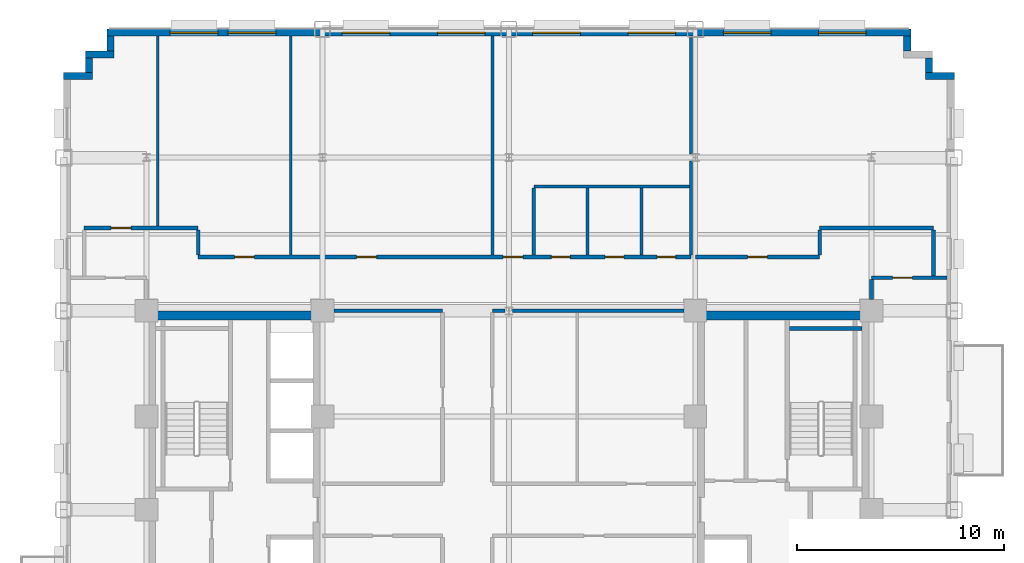
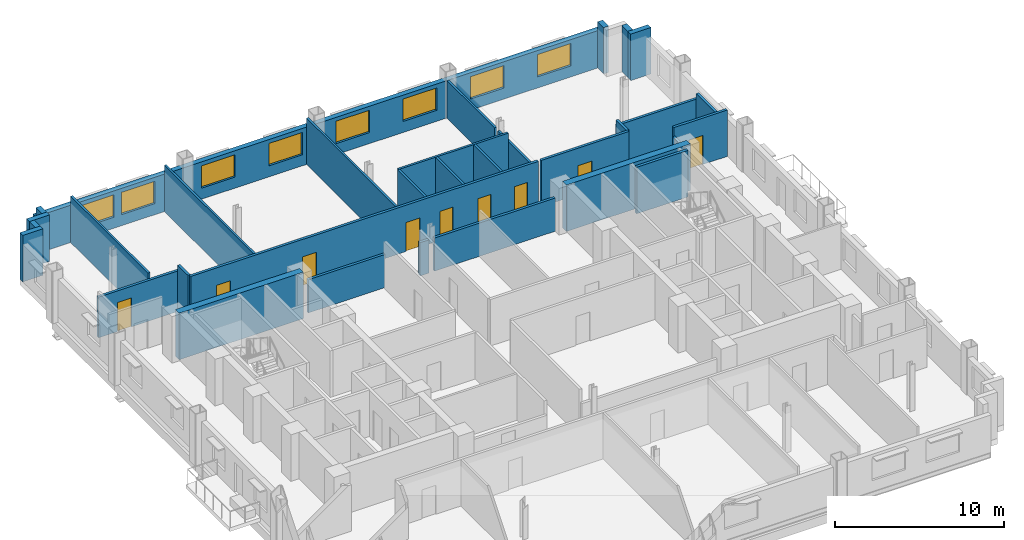
# One storey, part 9 of 14: 32 walls, 9 doors, 8 windows, 17 openings.
"""IFC4 building model written with IfcOpenShell, lengths in metres."""

from ifc_helpers import new_model, si_unit, direction, frame, frame_2d, origin, place, context, subcontext, project, spatial, rectangle, extrude, source, transform, mapped, material, layer, layer_set, type_object, type_shapes, element, fill, save


model = new_model("IFC4")

# Units and contexts
model_context = context("Model", 3, precision=1e-05, world=origin(), true_north=direction((0.0, 1.0)))
body_context = subcontext(model_context, "Body", "Model", "MODEL_VIEW")
ifc_project = project(units=[si_unit("LENGTHUNIT", "METRE"), si_unit("AREAUNIT", "SQUARE_METRE"), si_unit("VOLUMEUNIT", "CUBIC_METRE"), si_unit("PLANEANGLEUNIT", "RADIAN"), si_unit("MASSUNIT", "GRAM", prefix="KILO")], contexts=[model_context])

# Site, building, storey
site_placement = place(None, origin())
site = spatial("IfcSite", under=ifc_project, at=site_placement, CompositionType="ELEMENT")
building_placement = place(site_placement, origin())
building = spatial("IfcBuilding", under=site, at=building_placement, Name="Nuvemarco Arch Tower", CompositionType="ELEMENT")
storey_placement = place(building_placement, frame((0.0, 0.0, 56.800048828125)))
storey = spatial("IfcBuildingStorey", under=building, at=storey_placement, Name="L14", CompositionType="ELEMENT", Elevation=56.800048828125)

# Walls
ifc_material_1 = material(Name="Precast concrete C45/55", Category="concrete")
ifc_layer_1 = layer(ifc_material_1, 0.340087890625, Name="EW-LOW-340")
ifc_layer_set_1 = layer_set([ifc_layer_1], Name="Precast concrete C45/55")
wall_type_1 = type_object("IfcWallType", Name="EW-LOW-340", PredefinedType="STANDARD", material=ifc_layer_set_1)
wall_1_placement = place(storey_placement, frame((20.110107421875, 20.929931640625, 0.0), z_axis=(0.0, 0.0, 1.0), x_axis=(1.0, 0.0, 0.0)))
element("IfcWall", 1, at=wall_1_placement, inside=storey, type_object=wall_type_1, Name="L14 exterior precast facade wall 7", PredefinedType="STANDARD", context=body_context, shape_type="SweptSolid", body=[
    extrude(rectangle(XDim=1.389892578125, YDim=0.340087890625, at=frame_2d((0.69482421875, 0.0))), origin(), (0.0, 0.0, 1.0), 3.35986328125),
])
for number, where, z_axis, x_axis, name in (
    (2, (20.280029296875, 21.095947265625, 0.0), (0.0, 0.0, 1.0), (0.0, 1.0, 0.0), "L14 exterior precast facade wall 8"),
    (3, (19.22998046875, 22.14599609375, 0.0), (0.0, 0.0, 1.0), (0.0, 1.0, 0.0), "L14 exterior precast facade wall 10"),
):
    element("IfcWall", number, at=place(storey_placement, frame(where, z_axis=z_axis, x_axis=x_axis)), inside=storey, type_object=wall_type_1, Name=name, PredefinedType="STANDARD", context=body_context, shape_type="SweptSolid", body=[
        extrude(rectangle(XDim=0.718017578125, YDim=0.340087890625, at=frame_2d((0.35888671875, 0.0))), origin(), (0.0, 0.0, 1.0), 3.35986328125),
    ])

# Wall, openings, windows
wall_2_placement = place(storey_placement, frame((-19.39990234375, 23.030029296875, 0.0), z_axis=(0.0, 0.0, 1.0), x_axis=(1.0, 0.0, 0.0)))
wall_2 = element("IfcWall", 4, at=wall_2_placement, inside=storey, type_object=wall_type_1, Name="L14 exterior precast facade wall 11", PredefinedType="STANDARD", context=body_context, shape_type="SweptSolid", body=[
    extrude(rectangle(XDim=38.7998046875, YDim=0.340087890625, at=frame_2d((19.39990234375, 0.0))), origin(), (0.0, 0.0, 1.0), 2.704833984375),
])
opening_1_placement = place(wall_2_placement, frame((3.050048828125, 0.0, 0.800048828125)))
opening_1 = element("IfcOpeningElement", 5, at=opening_1_placement, cuts=wall_2, Name="Opening WN-10", PredefinedType="OPENING", context=body_context, shape_type="SweptSolid", body=[
    extrude(rectangle(XDim=2.300048828125, YDim=1.6201171875, at=frame_2d((1.14990234375, 0.81005859375))), frame((0.0, 0.179931640625, 0.0), z_axis=(0.0, -1.0, 0.0), x_axis=(1.0, 0.0, 0.0)), (0.0, 0.0, 1.0), 0.360107421875),
])
opening_2_placement = place(wall_2_placement, frame((5.85009765625, 0.0, 0.800048828125)))
opening_2 = element("IfcOpeningElement", 6, at=opening_2_placement, cuts=wall_2, Name="Opening WN-10", PredefinedType="OPENING", context=body_context, shape_type="SweptSolid", body=[
    extrude(rectangle(XDim=2.300048828125, YDim=1.6201171875, at=frame_2d((1.14990234375, 0.81005859375))), frame((0.0, 0.179931640625, 0.0), z_axis=(0.0, -1.0, 0.0), x_axis=(1.0, 0.0, 0.0)), (0.0, 0.0, 1.0), 0.360107421875),
])
opening_3_placement = place(wall_2_placement, frame((11.35009765625, 0.0, 0.800048828125)))
opening_3 = element("IfcOpeningElement", 7, at=opening_3_placement, cuts=wall_2, Name="Opening WN-10", PredefinedType="OPENING", context=body_context, shape_type="SweptSolid", body=[
    extrude(rectangle(XDim=2.300048828125, YDim=1.6201171875, at=frame_2d((1.14990234375, 0.81005859375))), frame((0.0, 0.179931640625, 0.0), z_axis=(0.0, -1.0, 0.0), x_axis=(1.0, 0.0, 0.0)), (0.0, 0.0, 1.0), 0.360107421875),
])
opening_4_placement = place(wall_2_placement, frame((15.949951171875, 0.0, 0.800048828125)))
opening_4 = element("IfcOpeningElement", 8, at=opening_4_placement, cuts=wall_2, Name="Opening WN-10", PredefinedType="OPENING", context=body_context, shape_type="SweptSolid", body=[
    extrude(rectangle(XDim=2.300048828125, YDim=1.6201171875, at=frame_2d((1.14990234375, 0.81005859375))), frame((0.0, 0.179931640625, 0.0), z_axis=(0.0, -1.0, 0.0), x_axis=(1.0, 0.0, 0.0)), (0.0, 0.0, 1.0), 0.360107421875),
])
opening_5_placement = place(wall_2_placement, frame((20.550048828125, 0.0, 0.800048828125)))
opening_5 = element("IfcOpeningElement", 9, at=opening_5_placement, cuts=wall_2, Name="Opening WN-10", PredefinedType="OPENING", context=body_context, shape_type="SweptSolid", body=[
    extrude(rectangle(XDim=2.300048828125, YDim=1.6201171875, at=frame_2d((1.14990234375, 0.81005859375))), frame((0.0, 0.179931640625, 0.0), z_axis=(0.0, -1.0, 0.0), x_axis=(1.0, 0.0, 0.0)), (0.0, 0.0, 1.0), 0.360107421875),
])
opening_6_placement = place(wall_2_placement, frame((25.14990234375, 0.0, 0.800048828125)))
opening_6 = element("IfcOpeningElement", 10, at=opening_6_placement, cuts=wall_2, Name="Opening WN-10", PredefinedType="OPENING", context=body_context, shape_type="SweptSolid", body=[
    extrude(rectangle(XDim=2.300048828125, YDim=1.6201171875, at=frame_2d((1.14990234375, 0.81005859375))), frame((0.0, 0.179931640625, 0.0), z_axis=(0.0, -1.0, 0.0), x_axis=(1.0, 0.0, 0.0)), (0.0, 0.0, 1.0), 0.360107421875),
])
opening_7_placement = place(wall_2_placement, frame((29.75, 0.0, 0.800048828125)))
opening_7 = element("IfcOpeningElement", 11, at=opening_7_placement, cuts=wall_2, Name="Opening WN-10", PredefinedType="OPENING", context=body_context, shape_type="SweptSolid", body=[
    extrude(rectangle(XDim=2.300048828125, YDim=1.6201171875, at=frame_2d((1.14990234375, 0.81005859375))), frame((0.0, 0.179931640625, 0.0), z_axis=(0.0, -1.0, 0.0), x_axis=(1.0, 0.0, 0.0)), (0.0, 0.0, 1.0), 0.360107421875),
])
opening_8_placement = place(wall_2_placement, frame((34.35009765625, 0.0, 0.800048828125)))
opening_8 = element("IfcOpeningElement", 12, at=opening_8_placement, cuts=wall_2, Name="Opening WN-10", PredefinedType="OPENING", context=body_context, shape_type="SweptSolid", body=[
    extrude(rectangle(XDim=2.300048828125, YDim=1.6201171875, at=frame_2d((1.14990234375, 0.81005859375))), frame((0.0, 0.179931640625, 0.0), z_axis=(0.0, -1.0, 0.0), x_axis=(1.0, 0.0, 0.0)), (0.0, 0.0, 1.0), 0.360107421875),
])
ifc_material_2 = material(Name="Insulated solar-control glass", Category="glass")
window_type = type_object("IfcWindowType", Name="WN-STEP-2300x1700", PartitioningType="DOUBLE_PANEL_VERTICAL", PredefinedType="WINDOW", material=ifc_material_2)
shared_shape_1 = source(origin(), body_context, "Body", "SweptSolid", [
    extrude(rectangle(XDim=2.300048828125, YDim=1.6201171875, at=frame_2d((1.14990234375, 0.81005859375))), frame((0.0, 0.030029296875, 0.0), z_axis=(0.0, -1.0, 0.0), x_axis=(1.0, 0.0, 0.0)), (0.0, 0.0, 1.0), 0.06005859375),
])
type_shapes(window_type, [shared_shape_1])
window_1_placement = place(opening_1_placement, origin())
window_1 = element("IfcWindow", 13, at=window_1_placement, inside=storey, type_object=window_type, Name="L14 punched facade window 1", OverallHeight=1.6201171875, OverallWidth=2.300048828125, PartitioningType="SINGLE_PANEL", PredefinedType="WINDOW", context=body_context, shape_type="MappedRepresentation", body=[
    mapped(shared_shape_1, transform((0.0, 0.0, 0.0), scale=1.0)),
])
fill(opening_1, window_1)
window_2_placement = place(opening_2_placement, origin())
window_2 = element("IfcWindow", 14, at=window_2_placement, inside=storey, type_object=window_type, Name="L14 punched facade window 2", OverallHeight=1.6201171875, OverallWidth=2.300048828125, PartitioningType="SINGLE_PANEL", PredefinedType="WINDOW", context=body_context, shape_type="MappedRepresentation", body=[
    mapped(shared_shape_1, transform((0.0, 0.0, 0.0), scale=1.0)),
])
fill(opening_2, window_2)
window_3_placement = place(opening_3_placement, origin())
window_3 = element("IfcWindow", 15, at=window_3_placement, inside=storey, type_object=window_type, Name="L14 punched facade window 3", OverallHeight=1.6201171875, OverallWidth=2.300048828125, PartitioningType="SINGLE_PANEL", PredefinedType="WINDOW", context=body_context, shape_type="MappedRepresentation", body=[
    mapped(shared_shape_1, transform((0.0, 0.0, 0.0), scale=1.0)),
])
fill(opening_3, window_3)
window_4_placement = place(opening_4_placement, origin())
window_4 = element("IfcWindow", 16, at=window_4_placement, inside=storey, type_object=window_type, Name="L14 punched facade window 4", OverallHeight=1.6201171875, OverallWidth=2.300048828125, PartitioningType="SINGLE_PANEL", PredefinedType="WINDOW", context=body_context, shape_type="MappedRepresentation", body=[
    mapped(shared_shape_1, transform((0.0, 0.0, 0.0), scale=1.0)),
])
fill(opening_4, window_4)
window_5_placement = place(opening_5_placement, origin())
window_5 = element("IfcWindow", 17, at=window_5_placement, inside=storey, type_object=window_type, Name="L14 punched facade window 5", OverallHeight=1.6201171875, OverallWidth=2.300048828125, PartitioningType="SINGLE_PANEL", PredefinedType="WINDOW", context=body_context, shape_type="MappedRepresentation", body=[
    mapped(shared_shape_1, transform((0.0, 0.0, 0.0), scale=1.0)),
])
fill(opening_5, window_5)
window_6_placement = place(opening_6_placement, origin())
window_6 = element("IfcWindow", 18, at=window_6_placement, inside=storey, type_object=window_type, Name="L14 punched facade window 6", OverallHeight=1.6201171875, OverallWidth=2.300048828125, PartitioningType="SINGLE_PANEL", PredefinedType="WINDOW", context=body_context, shape_type="MappedRepresentation", body=[
    mapped(shared_shape_1, transform((0.0, 0.0, 0.0), scale=1.0)),
])
fill(opening_6, window_6)
window_7_placement = place(opening_7_placement, origin())
window_7 = element("IfcWindow", 19, at=window_7_placement, inside=storey, type_object=window_type, Name="L14 punched facade window 7", OverallHeight=1.6201171875, OverallWidth=2.300048828125, PartitioningType="SINGLE_PANEL", PredefinedType="WINDOW", context=body_context, shape_type="MappedRepresentation", body=[
    mapped(shared_shape_1, transform((0.0, 0.0, 0.0), scale=1.0)),
])
fill(opening_7, window_7)
window_8_placement = place(opening_8_placement, origin())
window_8 = element("IfcWindow", 20, at=window_8_placement, inside=storey, type_object=window_type, Name="L14 punched facade window 8", OverallHeight=1.6201171875, OverallWidth=2.300048828125, PartitioningType="SINGLE_PANEL", PredefinedType="WINDOW", context=body_context, shape_type="MappedRepresentation", body=[
    mapped(shared_shape_1, transform((0.0, 0.0, 0.0), scale=1.0)),
])
fill(opening_8, window_8)

# Walls
wall_3_placement = place(storey_placement, frame((-19.22998046875, 22.14599609375, 0.0), z_axis=(0.0, 0.0, 1.0), x_axis=(0.0, 1.0, 0.0)))
element("IfcWall", 21, at=wall_3_placement, inside=storey, type_object=wall_type_1, Name="L14 exterior precast facade wall 12", PredefinedType="STANDARD", context=body_context, shape_type="SweptSolid", body=[
    extrude(rectangle(XDim=0.718017578125, YDim=0.340087890625, at=frame_2d((0.35888671875, 0.0))), origin(), (0.0, 0.0, 1.0), 3.35986328125),
])
wall_4_placement = place(storey_placement, frame((-20.449951171875, 21.97998046875, 0.0), z_axis=(0.0, 0.0, 1.0), x_axis=(1.0, 0.0, 0.0)))
element("IfcWall", 22, at=wall_4_placement, inside=storey, type_object=wall_type_1, Name="L14 exterior precast facade wall 13", PredefinedType="STANDARD", context=body_context, shape_type="SweptSolid", body=[
    extrude(rectangle(XDim=1.389892578125, YDim=0.340087890625, at=frame_2d((0.69482421875, 0.0))), origin(), (0.0, 0.0, 1.0), 3.35986328125),
])
wall_5_placement = place(storey_placement, frame((-20.280029296875, 21.095947265625, 0.0), z_axis=(0.0, 0.0, 1.0), x_axis=(0.0, 1.0, 0.0)))
element("IfcWall", 23, at=wall_5_placement, inside=storey, type_object=wall_type_1, Name="L14 exterior precast facade wall 14", PredefinedType="STANDARD", context=body_context, shape_type="SweptSolid", body=[
    extrude(rectangle(XDim=0.718017578125, YDim=0.340087890625, at=frame_2d((0.35888671875, 0.0))), origin(), (0.0, 0.0, 1.0), 3.35986328125),
])
wall_6_placement = place(storey_placement, frame((-21.5, 20.929931640625, 0.0), z_axis=(0.0, 0.0, 1.0), x_axis=(1.0, 0.0, 0.0)))
element("IfcWall", 24, at=wall_6_placement, inside=storey, type_object=wall_type_1, Name="L14 exterior precast facade wall 15", PredefinedType="STANDARD", context=body_context, shape_type="SweptSolid", body=[
    extrude(rectangle(XDim=1.389892578125, YDim=0.340087890625, at=frame_2d((0.69482421875, 0.0))), origin(), (0.0, 0.0, 1.0), 3.35986328125),
])
ifc_material_3 = material(Name="Concrete C60/75", Category="concrete")
ifc_layer_2 = layer(ifc_material_3, 0.449951171875, Name="WL-CORE-450")
ifc_layer_set_2 = layer_set([ifc_layer_2], Name="Concrete C60/75")
wall_type_2 = type_object("IfcWallType", Name="WL-CORE-450", PredefinedType="SHEAR", material=ifc_layer_set_2)
for number, where, z_axis, x_axis, name in (
    (25, (-17.5, 9.375, 0.0), (0.0, 0.0, 1.0), (1.0, 0.0, 0.0), "L14 W-core shear wall N"),
    (26, (9.0, 9.375, 0.0), (0.0, 0.0, 1.0), (1.0, 0.0, 0.0), "L14 E-core shear wall N"),
):
    element("IfcWall", number, at=place(storey_placement, frame(where, z_axis=z_axis, x_axis=x_axis)), inside=storey, type_object=wall_type_2, Name=name, PredefinedType="SHEAR", context=body_context, shape_type="SweptSolid", body=[
        extrude(rectangle(XDim=8.5, YDim=0.449951171875, at=frame_2d((4.25, 0.0))), origin(), (0.0, 0.0, 1.0), 3.369873046875),
    ])
ifc_material_4 = material(Name="Fire-rated gypsum drywall partition")
ifc_layer_3 = layer(ifc_material_4, 0.179931640625, Name="WL-CORR-180")
ifc_layer_set_3 = layer_set([ifc_layer_3], Name="Fire-rated gypsum drywall partition")
wall_type_3 = type_object("IfcWallType", Name="WL-CORR-180", PredefinedType="PARTITIONING", material=ifc_layer_set_3)
wall_7_placement = place(storey_placement, frame((-8.4541015625, 9.60009765625, 0.0), z_axis=(0.0, 0.0, 1.0), x_axis=(1.0, 0.0, 0.0)))
element("IfcWall", 27, at=wall_7_placement, inside=storey, type_object=wall_type_3, Name="L14 interior wall IW-L14-015", PredefinedType="PARTITIONING", context=body_context, shape_type="SweptSolid", body=[
    extrude(rectangle(XDim=5.254150390625, YDim=0.179931640625, at=frame_2d((2.626953125, 0.0))), origin(), (0.0, 0.0, 1.0), 2.405029296875),
])
wall_8_placement = place(storey_placement, frame((-0.800048828125, 9.60009765625, 0.0), z_axis=(0.0, 0.0, 1.0), x_axis=(1.0, 0.0, 0.0)))
element("IfcWall", 28, at=wall_8_placement, inside=storey, type_object=wall_type_3, Name="L14 interior wall IW-L14-016", PredefinedType="PARTITIONING", context=body_context, shape_type="SweptSolid", body=[
    extrude(rectangle(XDim=0.6240234375, YDim=0.179931640625, at=frame_2d((0.31201171875, 0.0))), origin(), (0.0, 0.0, 1.0), 2.405029296875),
])
wall_9_placement = place(storey_placement, frame((0.176025390625, 9.60009765625, 0.0), z_axis=(0.0, 0.0, 1.0), x_axis=(1.0, 0.0, 0.0)))
element("IfcWall", 29, at=wall_9_placement, inside=storey, type_object=wall_type_3, Name="L14 interior wall IW-L14-017", PredefinedType="PARTITIONING", context=body_context, shape_type="SweptSolid", body=[
    extrude(rectangle(XDim=8.278076171875, YDim=0.179931640625, at=frame_2d((4.13916015625, 0.0))), origin(), (0.0, 0.0, 1.0), 2.405029296875),
])

# Wall, opening, door
wall_10_placement = place(storey_placement, frame((17.5, 11.199951171875, 0.0), z_axis=(0.0, 0.0, 1.0), x_axis=(1.0, 0.0, 0.0)))
wall_10 = element("IfcWall", 30, at=wall_10_placement, inside=storey, type_object=wall_type_3, Name="L14 interior wall IW-L14-019", PredefinedType="PARTITIONING", context=body_context, shape_type="SweptSolid", body=[
    extrude(rectangle(XDim=3.659912109375, YDim=0.179931640625, at=frame_2d((1.830078125, 0.0))), origin(), (0.0, 0.0, 1.0), 3.35986328125),
])
opening_9_placement = place(wall_10_placement, frame((1.02001953125, 0.0, 0.0)))
opening_9 = element("IfcOpeningElement", 31, at=opening_9_placement, cuts=wall_10, Name="Opening FD-5", PredefinedType="OPENING", context=body_context, shape_type="SweptSolid", body=[
    extrude(rectangle(XDim=0.9599609375, YDim=2.10009765625, at=frame_2d((0.47998046875, 1.050048828125))), frame((0.0, 0.099853515625, 0.0), z_axis=(0.0, -1.0, 0.0), x_axis=(1.0, 0.0, 0.0)), (0.0, 0.0, 1.0), 0.199951171875),
])
ifc_material_5 = material(Name="Timber fire door", Category="wood")
door_type_1 = type_object("IfcDoorType", Name="DR-CORR-FD", OperationType="NOTDEFINED", PredefinedType="DOOR", material=ifc_material_5)
shared_shape_2 = source(origin(), body_context, "Body", "SweptSolid", [
    extrude(rectangle(XDim=0.9599609375, YDim=2.10009765625, at=frame_2d((0.47998046875, 1.050048828125))), frame((0.0, 0.02490234375, 0.0), z_axis=(0.0, -1.0, 0.0), x_axis=(1.0, 0.0, 0.0)), (0.0, 0.0, 1.0), 0.050048828125),
])
type_shapes(door_type_1, [shared_shape_2])
door_1_placement = place(opening_9_placement, origin())
door_1 = element("IfcDoor", 32, at=door_1_placement, inside=storey, type_object=door_type_1, Name="L14 door DR-L14-E_2", OperationType="SINGLE_SWING_LEFT", OverallHeight=2.10009765625, OverallWidth=0.9599609375, PredefinedType="DOOR", context=body_context, shape_type="MappedRepresentation", body=[
    mapped(shared_shape_2, transform((0.0, 0.0, 0.0), scale=1.0)),
])
fill(opening_9, door_1)

# Wall, openings, doors
wall_11_placement = place(storey_placement, frame((-15.0, 12.199951171875, 0.0), z_axis=(0.0, 0.0, 1.0), x_axis=(1.0, 0.0, 0.0)))
wall_11 = element("IfcWall", 33, at=wall_11_placement, inside=storey, type_object=wall_type_3, Name="L14 interior wall IW-L14-020", PredefinedType="PARTITIONING", context=body_context, shape_type="SweptSolid", body=[
    extrude(rectangle(XDim=23.800048828125, YDim=0.179931640625, at=frame_2d((11.89990234375, 0.0))), origin(), (0.0, 0.0, 1.0), 3.35986328125),
])
opening_10_placement = place(wall_11_placement, frame((7.655029296875, 0.0, 0.0)))
opening_10 = element("IfcOpeningElement", 34, at=opening_10_placement, cuts=wall_11, Name="Opening FD-5", PredefinedType="OPENING", context=body_context, shape_type="SweptSolid", body=[
    extrude(rectangle(XDim=0.9599609375, YDim=2.10009765625, at=frame_2d((0.47998046875, 1.050048828125))), frame((0.0, 0.099853515625, 0.0), z_axis=(0.0, -1.0, 0.0), x_axis=(1.0, 0.0, 0.0)), (0.0, 0.0, 1.0), 0.199951171875),
])
opening_11_placement = place(wall_11_placement, frame((1.7548828125, 0.0, 0.0)))
opening_11 = element("IfcOpeningElement", 35, at=opening_11_placement, cuts=wall_11, Name="Opening FD-5", PredefinedType="OPENING", context=body_context, shape_type="SweptSolid", body=[
    extrude(rectangle(XDim=0.9599609375, YDim=2.10009765625, at=frame_2d((0.47998046875, 1.050048828125))), frame((0.0, 0.099853515625, 0.0), z_axis=(0.0, -1.0, 0.0), x_axis=(1.0, 0.0, 0.0)), (0.0, 0.0, 1.0), 0.199951171875),
])
opening_12_placement = place(wall_11_placement, frame((19.64990234375, 0.0, 0.0)))
opening_12 = element("IfcOpeningElement", 36, at=opening_12_placement, cuts=wall_11, Name="Opening ID-3", PredefinedType="OPENING", context=body_context, shape_type="SweptSolid", body=[
    extrude(rectangle(XDim=0.89990234375, YDim=2.10009765625, at=frame_2d((0.449951171875, 1.050048828125))), frame((0.0, 0.099853515625, 0.0), z_axis=(0.0, -1.0, 0.0), x_axis=(1.0, 0.0, 0.0)), (0.0, 0.0, 1.0), 0.199951171875),
])
opening_13_placement = place(wall_11_placement, frame((17.050048828125, 0.0, 0.0)))
opening_13 = element("IfcOpeningElement", 37, at=opening_13_placement, cuts=wall_11, Name="Opening ID-3", PredefinedType="OPENING", context=body_context, shape_type="SweptSolid", body=[
    extrude(rectangle(XDim=0.89990234375, YDim=2.10009765625, at=frame_2d((0.449951171875, 1.050048828125))), frame((0.0, 0.099853515625, 0.0), z_axis=(0.0, -1.0, 0.0), x_axis=(1.0, 0.0, 0.0)), (0.0, 0.0, 1.0), 0.199951171875),
])
opening_14_placement = place(wall_11_placement, frame((22.14990234375, 0.0, 0.0)))
opening_14 = element("IfcOpeningElement", 38, at=opening_14_placement, cuts=wall_11, Name="Opening ID-3", PredefinedType="OPENING", context=body_context, shape_type="SweptSolid", body=[
    extrude(rectangle(XDim=0.89990234375, YDim=2.10009765625, at=frame_2d((0.449951171875, 1.050048828125))), frame((0.0, 0.099853515625, 0.0), z_axis=(0.0, -1.0, 0.0), x_axis=(1.0, 0.0, 0.0)), (0.0, 0.0, 1.0), 0.199951171875),
])
opening_15_placement = place(wall_11_placement, frame((14.719970703125, 0.0, 0.0)))
opening_15 = element("IfcOpeningElement", 39, at=opening_15_placement, cuts=wall_11, Name="Opening FD-5", PredefinedType="OPENING", context=body_context, shape_type="SweptSolid", body=[
    extrude(rectangle(XDim=0.9599609375, YDim=2.10009765625, at=frame_2d((0.47998046875, 1.050048828125))), frame((0.0, 0.099853515625, 0.0), z_axis=(0.0, -1.0, 0.0), x_axis=(1.0, 0.0, 0.0)), (0.0, 0.0, 1.0), 0.199951171875),
])
door_2_placement = place(opening_10_placement, origin())
door_2 = element("IfcDoor", 40, at=door_2_placement, inside=storey, type_object=door_type_1, Name="L14 door DR-L14-N_3", OperationType="SINGLE_SWING_RIGHT", OverallHeight=2.10009765625, OverallWidth=0.9599609375, PredefinedType="DOOR", context=body_context, shape_type="MappedRepresentation", body=[
    mapped(shared_shape_2, transform((0.0, 0.0, 0.0), scale=1.0)),
])
fill(opening_10, door_2)
door_3_placement = place(opening_11_placement, origin())
door_3 = element("IfcDoor", 41, at=door_3_placement, inside=storey, type_object=door_type_1, Name="L14 door DR-L14-N_2", OperationType="SINGLE_SWING_LEFT", OverallHeight=2.10009765625, OverallWidth=0.9599609375, PredefinedType="DOOR", context=body_context, shape_type="MappedRepresentation", body=[
    mapped(shared_shape_2, transform((0.0, 0.0, 0.0), scale=1.0)),
])
fill(opening_11, door_3)
door_4_placement = place(opening_15_placement, origin())
door_4 = element("IfcDoor", 42, at=door_4_placement, inside=storey, type_object=door_type_1, Name="L14 door DR-L14-N_4", OperationType="SINGLE_SWING_LEFT", OverallHeight=2.10009765625, OverallWidth=0.9599609375, PredefinedType="DOOR", context=body_context, shape_type="MappedRepresentation", body=[
    mapped(shared_shape_2, transform((0.0, 0.0, 0.0), scale=1.0)),
])
fill(opening_15, door_4)
ifc_material_6 = material(Name="Veneered oak timber fire door", Category="wood")
door_type_2 = type_object("IfcDoorType", Name="DR-WC-ACC", OperationType="NOTDEFINED", PredefinedType="DOOR", material=ifc_material_6)
shared_shape_3 = source(origin(), body_context, "Body", "SweptSolid", [
    extrude(rectangle(XDim=0.89990234375, YDim=2.10009765625, at=frame_2d((0.449951171875, 1.050048828125))), frame((0.0, 0.02490234375, 0.0), z_axis=(0.0, -1.0, 0.0), x_axis=(1.0, 0.0, 0.0)), (0.0, 0.0, 1.0), 0.050048828125),
])
type_shapes(door_type_2, [shared_shape_3])
door_5_placement = place(opening_12_placement, origin())
door_5 = element("IfcDoor", 43, at=door_5_placement, inside=storey, type_object=door_type_2, Name="L14 door DR-L14-WC_F", OperationType="SINGLE_SWING_RIGHT", OverallHeight=2.10009765625, OverallWidth=0.89990234375, PredefinedType="DOOR", context=body_context, shape_type="MappedRepresentation", body=[
    mapped(shared_shape_3, transform((0.0, 0.0, 0.0), scale=1.0)),
])
fill(opening_12, door_5)
door_6_placement = place(opening_13_placement, origin())
door_6 = element("IfcDoor", 44, at=door_6_placement, inside=storey, type_object=door_type_2, Name="L14 door DR-L14-WC_M", OperationType="SINGLE_SWING_LEFT", OverallHeight=2.10009765625, OverallWidth=0.89990234375, PredefinedType="DOOR", context=body_context, shape_type="MappedRepresentation", body=[
    mapped(shared_shape_3, transform((0.0, 0.0, 0.0), scale=1.0)),
])
fill(opening_13, door_6)
door_7_placement = place(opening_14_placement, origin())
door_7 = element("IfcDoor", 45, at=door_7_placement, inside=storey, type_object=door_type_2, Name="L14 door DR-L14-WC_ACC", OperationType="SINGLE_SWING_RIGHT", OverallHeight=2.10009765625, OverallWidth=0.89990234375, PredefinedType="DOOR", context=body_context, shape_type="MappedRepresentation", body=[
    mapped(shared_shape_3, transform((0.0, 0.0, 0.0), scale=1.0)),
])
fill(opening_14, door_7)

# Wall, opening, door
wall_12_placement = place(storey_placement, frame((9.0, 12.199951171875, 0.0), z_axis=(0.0, 0.0, 1.0), x_axis=(1.0, 0.0, 0.0)))
wall_12 = element("IfcWall", 46, at=wall_12_placement, inside=storey, type_object=wall_type_3, Name="L14 interior wall IW-L14-021", PredefinedType="PARTITIONING", context=body_context, shape_type="SweptSolid", body=[
    extrude(rectangle(XDim=6.0, YDim=0.179931640625, at=frame_2d((3.0, 0.0))), origin(), (0.0, 0.0, 1.0), 3.35986328125),
])
opening_16_placement = place(wall_12_placement, frame((2.52001953125, 0.0, 0.0)))
opening_16 = element("IfcOpeningElement", 47, at=opening_16_placement, cuts=wall_12, Name="Opening FD-5", PredefinedType="OPENING", context=body_context, shape_type="SweptSolid", body=[
    extrude(rectangle(XDim=0.9599609375, YDim=2.10009765625, at=frame_2d((0.47998046875, 1.050048828125))), frame((0.0, 0.099853515625, 0.0), z_axis=(0.0, -1.0, 0.0), x_axis=(1.0, 0.0, 0.0)), (0.0, 0.0, 1.0), 0.199951171875),
])
door_8_placement = place(opening_16_placement, origin())
door_8 = element("IfcDoor", 48, at=door_8_placement, inside=storey, type_object=door_type_1, Name="L14 door DR-L14-N_5", OperationType="SINGLE_SWING_RIGHT", OverallHeight=2.10009765625, OverallWidth=0.9599609375, PredefinedType="DOOR", context=body_context, shape_type="MappedRepresentation", body=[
    mapped(shared_shape_2, transform((0.0, 0.0, 0.0), scale=1.0)),
])
fill(opening_16, door_8)

wall_13_placement = place(storey_placement, frame((-20.5, 13.60009765625, 0.0), z_axis=(0.0, 0.0, 1.0), x_axis=(1.0, 0.0, 0.0)))
wall_13 = element("IfcWall", 49, at=wall_13_placement, inside=storey, type_object=wall_type_3, Name="L14 interior wall IW-L14-022", PredefinedType="PARTITIONING", context=body_context, shape_type="SweptSolid", body=[
    extrude(rectangle(XDim=5.5, YDim=0.179931640625, at=frame_2d((2.75, 0.0))), origin(), (0.0, 0.0, 1.0), 2.94189453125),
])
opening_17_placement = place(wall_13_placement, frame((1.294921875, 0.0, 0.0)))
opening_17 = element("IfcOpeningElement", 50, at=opening_17_placement, cuts=wall_13, Name="Opening FD-5", PredefinedType="OPENING", context=body_context, shape_type="SweptSolid", body=[
    extrude(rectangle(XDim=0.9599609375, YDim=2.10009765625, at=frame_2d((0.47998046875, 1.050048828125))), frame((0.0, 0.099853515625, 0.0), z_axis=(0.0, -1.0, 0.0), x_axis=(1.0, 0.0, 0.0)), (0.0, 0.0, 1.0), 0.199951171875),
])
door_9_placement = place(opening_17_placement, origin())
door_9 = element("IfcDoor", 51, at=door_9_placement, inside=storey, type_object=door_type_1, Name="L14 door DR-L14-N_1", OperationType="SINGLE_SWING_LEFT", OverallHeight=2.10009765625, OverallWidth=0.9599609375, PredefinedType="DOOR", context=body_context, shape_type="MappedRepresentation", body=[
    mapped(shared_shape_2, transform((0.0, 0.0, 0.0), scale=1.0)),
])
fill(opening_17, door_9)

# Walls
wall_14_placement = place(storey_placement, frame((15.0, 13.60009765625, 0.0), z_axis=(0.0, 0.0, 1.0), x_axis=(1.0, 0.0, 0.0)))
element("IfcWall", 52, at=wall_14_placement, inside=storey, type_object=wall_type_3, Name="L14 interior wall IW-L14-023", PredefinedType="PARTITIONING", context=body_context, shape_type="SweptSolid", body=[
    extrude(rectangle(XDim=5.5, YDim=0.179931640625, at=frame_2d((2.75, 0.0))), origin(), (0.0, 0.0, 1.0), 2.94189453125),
])
for number, where, z_axis, x_axis, name in (
    (53, (-15.0, 12.285888671875, 0.0), (0.0, 0.0, 1.0), (0.0, 1.0, 0.0), "L14 interior wall IW-L14-032"),
    (54, (15.0, 12.285888671875, 0.0), (0.0, 0.0, 1.0), (0.0, 1.0, 0.0), "L14 interior wall IW-L14-051"),
):
    element("IfcWall", number, at=place(storey_placement, frame(where, z_axis=z_axis, x_axis=x_axis)), inside=storey, type_object=wall_type_3, Name=name, PredefinedType="PARTITIONING", context=body_context, shape_type="SweptSolid", body=[
        extrude(rectangle(XDim=1.22802734375, YDim=0.179931640625, at=frame_2d((0.614013671875, 0.0))), origin(), (0.0, 0.0, 1.0), 3.35986328125),
    ])
wall_15_placement = place(storey_placement, frame((17.5, 10.14599609375, 0.0), z_axis=(0.0, 0.0, 1.0), x_axis=(0.0, 1.0, 0.0)))
element("IfcWall", 55, at=wall_15_placement, inside=storey, type_object=wall_type_3, Name="L14 interior wall IW-L14-053", PredefinedType="PARTITIONING", context=body_context, shape_type="SweptSolid", body=[
    extrude(rectangle(XDim=0.968017578125, YDim=0.179931640625, at=frame_2d((0.48388671875, 0.0))), origin(), (0.0, 0.0, 1.0), 2.738037109375),
])
wall_16_placement = place(storey_placement, frame((20.5, 11.285888671875, 0.0), z_axis=(0.0, 0.0, 1.0), x_axis=(0.0, 1.0, 0.0)))
element("IfcWall", 56, at=wall_16_placement, inside=storey, type_object=wall_type_3, Name="L14 interior wall IW-L14-055", PredefinedType="PARTITIONING", context=body_context, shape_type="SweptSolid", body=[
    extrude(rectangle(XDim=2.22802734375, YDim=0.179931640625, at=frame_2d((1.114013671875, 0.0))), origin(), (0.0, 0.0, 1.0), 3.35986328125),
])
ifc_material_7 = material(Name="Gypsum plasterboard partition")
ifc_layer_4 = layer(ifc_material_7, 0.139892578125, Name="WL-ROOM-140")
ifc_layer_set_4 = layer_set([ifc_layer_4], Name="Gypsum plasterboard partition")
wall_type_4 = type_object("IfcWallType", Name="WL-ROOM-140", PredefinedType="PARTITIONING", material=ifc_layer_set_4)
wall_17_placement = place(storey_placement, frame((-16.949951171875, 13.68603515625, 0.0), z_axis=(0.0, 0.0, 1.0), x_axis=(0.0, 1.0, 0.0)))
element("IfcWall", 57, at=wall_17_placement, inside=storey, type_object=wall_type_4, Name="L14 interior wall IW-L14-030", PredefinedType="PARTITIONING", context=body_context, shape_type="SweptSolid", body=[
    extrude(rectangle(XDim=9.174072265625, YDim=0.139892578125, at=frame_2d((4.5869140625, 0.0))), origin(), (0.0, 0.0, 1.0), 3.35986328125),
])
for number, where, z_axis, x_axis, name in (
    (58, (-10.530029296875, 12.285888671875, 0.0), (0.0, 0.0, 1.0), (0.0, 1.0, 0.0), "L14 interior wall IW-L14-034"),
    (59, (-0.800048828125, 12.285888671875, 0.0), (0.0, 0.0, 1.0), (0.0, 1.0, 0.0), "L14 interior wall IW-L14-040"),
):
    element("IfcWall", number, at=place(storey_placement, frame(where, z_axis=z_axis, x_axis=x_axis)), inside=storey, type_object=wall_type_4, Name=name, PredefinedType="PARTITIONING", context=body_context, shape_type="SweptSolid", body=[
        extrude(rectangle(XDim=10.57421875, YDim=0.139892578125, at=frame_2d((5.287109375, 0.0))), origin(), (0.0, 0.0, 1.0), 3.35986328125),
    ])
ifc_material_8 = material(Name="Concrete C50/60", Category="concrete")
ifc_layer_5 = layer(ifc_material_8, 0.199951171875, Name="WL-SHAFT-220")
ifc_layer_set_5 = layer_set([ifc_layer_5], Name="Concrete C50/60")
wall_type_5 = type_object("IfcWallType", Name="WL-SHAFT-220", PredefinedType="SHEAR", material=ifc_layer_set_5)
wall_18_placement = place(storey_placement, frame((13.534912109375, 8.75, 0.0), z_axis=(0.0, 0.0, 1.0), x_axis=(1.0, 0.0, 0.0)))
element("IfcWall", 60, at=wall_18_placement, inside=storey, type_object=wall_type_5, Name="L14 structural shaft wall SW-L14-E-ST2N", PredefinedType="SHEAR", context=body_context, shape_type="SweptSolid", body=[
    extrude(rectangle(XDim=3.52001953125, YDim=0.199951171875, at=frame_2d((1.760009765625, 0.0))), origin(), (0.0, 0.0, 1.0), 3.369873046875),
])
ifc_material_9 = material(Name="Moisture-resistant gypsum partition")
ifc_layer_6 = layer(ifc_material_9, 0.14990234375, Name="WL-WET-150")
ifc_layer_set_6 = layer_set([ifc_layer_6], Name="Moisture-resistant gypsum partition")
wall_type_6 = type_object("IfcWallType", Name="WL-WET-150", PredefinedType="PARTITIONING", material=ifc_layer_set_6)
wall_19_placement = place(storey_placement, frame((1.199951171875, 15.60009765625, 0.0), z_axis=(0.0, 0.0, 1.0), x_axis=(1.0, 0.0, 0.0)))
element("IfcWall", 61, at=wall_19_placement, inside=storey, type_object=wall_type_6, Name="L14 interior wall IW-L14-024", PredefinedType="PARTITIONING", context=body_context, shape_type="SweptSolid", body=[
    extrude(rectangle(XDim=7.529052734375, YDim=0.14990234375, at=frame_2d((3.7646484375, 0.0))), origin(), (0.0, 0.0, 1.0), 3.35986328125),
])
for number, where, z_axis, x_axis, name in (
    (62, (1.199951171875, 12.285888671875, 0.0), (0.0, 0.0, 1.0), (0.0, 1.0, 0.0), "L14 interior wall IW-L14-041"),
    (63, (3.800048828125, 12.285888671875, 0.0), (0.0, 0.0, 1.0), (0.0, 1.0, 0.0), "L14 interior wall IW-L14-043"),
    (64, (6.39990234375, 12.285888671875, 0.0), (0.0, 0.0, 1.0), (0.0, 1.0, 0.0), "L14 interior wall IW-L14-045"),
):
    element("IfcWall", number, at=place(storey_placement, frame(where, z_axis=z_axis, x_axis=x_axis)), inside=storey, type_object=wall_type_6, Name=name, PredefinedType="PARTITIONING", context=body_context, shape_type="SweptSolid", body=[
        extrude(rectangle(XDim=3.2431640625, YDim=0.14990234375, at=frame_2d((1.62158203125, 0.0))), origin(), (0.0, 0.0, 1.0), 3.35986328125),
    ])
wall_20_placement = place(storey_placement, frame((8.800048828125, 12.285888671875, 0.0), z_axis=(0.0, 0.0, 1.0), x_axis=(0.0, 1.0, 0.0)))
element("IfcWall", 65, at=wall_20_placement, inside=storey, type_object=wall_type_6, Name="L14 interior wall IW-L14-046", PredefinedType="PARTITIONING", context=body_context, shape_type="SweptSolid", body=[
    extrude(rectangle(XDim=4.5380859375, YDim=0.14990234375, at=frame_2d((2.26904296875, 0.0))), origin(), (0.0, 0.0, 1.0), 2.738037109375),
])
wall_21_placement = place(storey_placement, frame((8.800048828125, 17.176025390625, 0.0), z_axis=(0.0, 0.0, 1.0), x_axis=(0.0, 1.0, 0.0)))
element("IfcWall", 66, at=wall_21_placement, inside=storey, type_object=wall_type_6, Name="L14 interior wall IW-L14-047", PredefinedType="PARTITIONING", context=body_context, shape_type="SweptSolid", body=[
    extrude(rectangle(XDim=5.6279296875, YDim=0.14990234375, at=frame_2d((2.81396484375, 0.0))), origin(), (0.0, 0.0, 1.0), 2.738037109375),
])

save(model, "model.ifc")
